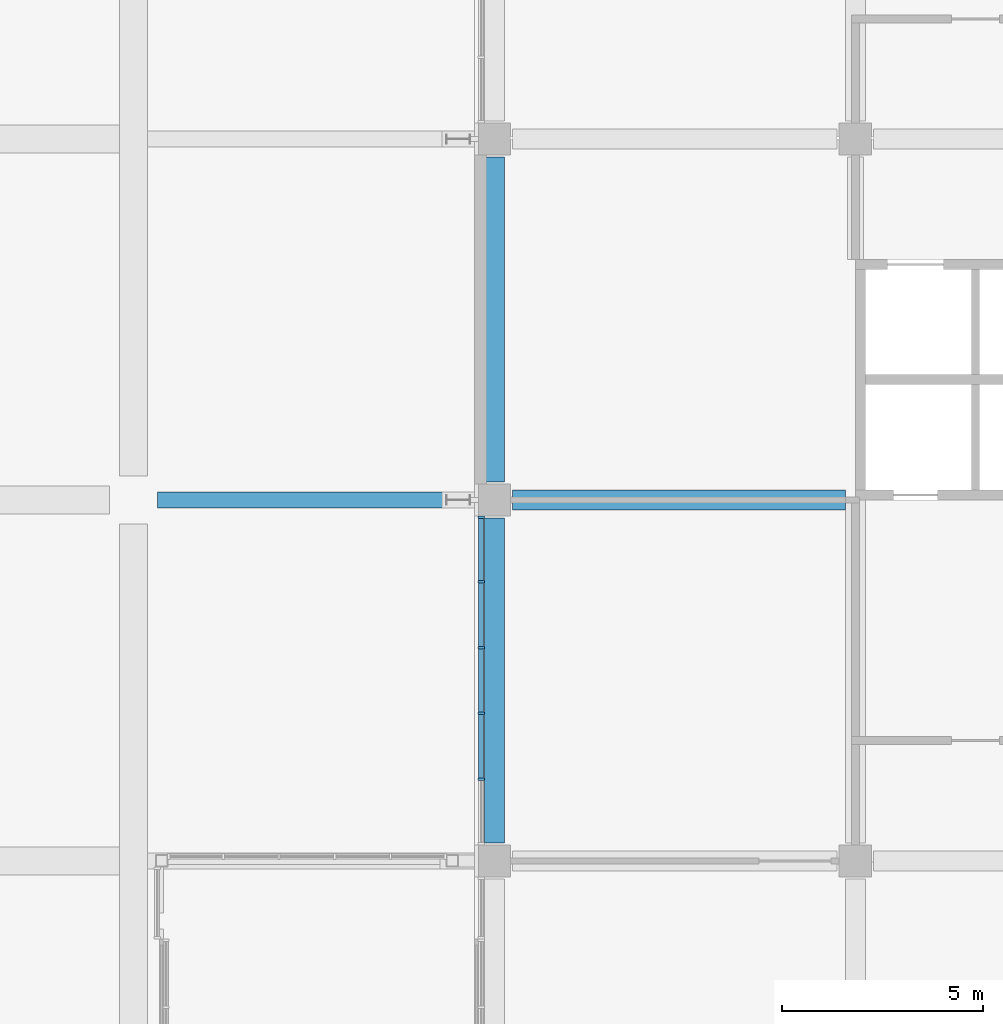
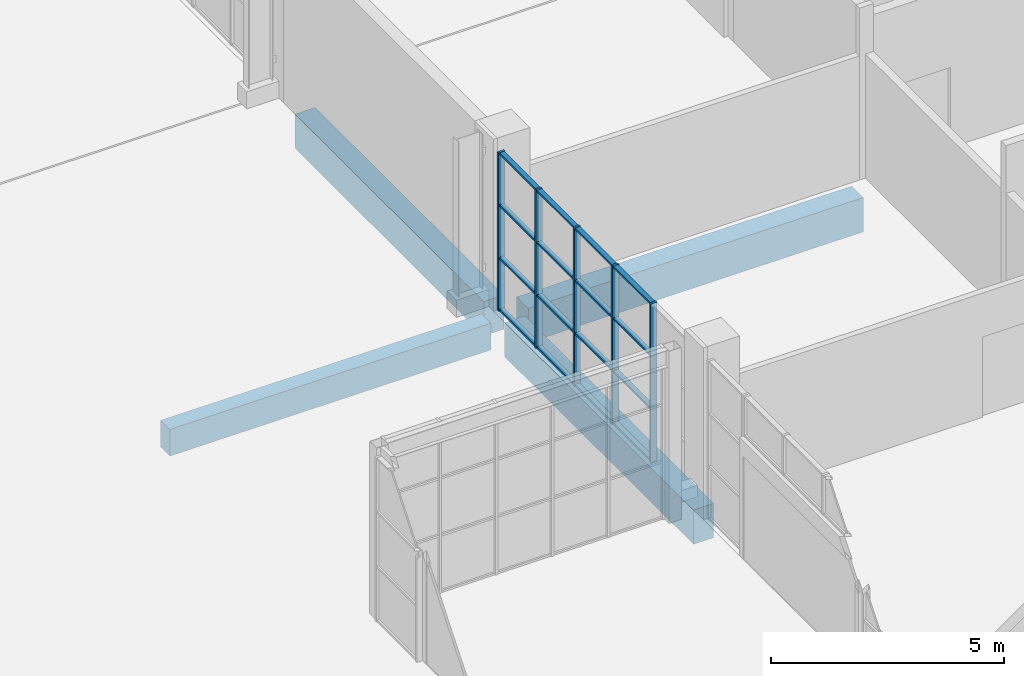
# One storey, part 34 of 168: 21 members, 4 beams, 1 element without a shape of its own.
"""IFC4 building model written with IfcOpenShell, lengths in metres."""

from ifc_helpers import new_model, si_unit, direction, frame, origin, origin_2d, place, context, subcontext, project, spatial, rectangle, extrude, material, material_profile, profile_set, type_object, element, aggregate, save


model = new_model("IFC4")

# Units and contexts
model_context = context("Model", 3, precision=1e-05, world=origin(), true_north=direction((0.0, 1.0)))
body_context = subcontext(model_context, "Body", "Model", "MODEL_VIEW")
ifc_project = project(units=[si_unit("LENGTHUNIT", "METRE"), si_unit("AREAUNIT", "SQUARE_METRE"), si_unit("VOLUMEUNIT", "CUBIC_METRE"), si_unit("PLANEANGLEUNIT", "RADIAN"), si_unit("MASSUNIT", "GRAM", prefix="KILO")], contexts=[model_context])

# Site, building, storey
site_placement = place(None, origin())
site = spatial("IfcSite", under=ifc_project, at=site_placement, CompositionType="ELEMENT")
building_placement = place(site_placement, origin())
building = spatial("IfcBuilding", under=site, at=building_placement, Name="Silverbay Arena", CompositionType="ELEMENT")
storey_placement = place(building_placement, frame((0.0, 0.0, 7.0)))
storey = spatial("IfcBuildingStorey", under=building, at=storey_placement, Name="L01", CompositionType="ELEMENT", Elevation=7.0)

# Curtain wall, members
ifc_material_1 = material(Name="Aluminium framed curtain wall", Category="aluminium")
curtain_wall_type = type_object("IfcCurtainWallType", Name="Curtain wall 8200 x 4150", PredefinedType="NOTDEFINED", material=ifc_material_1)
curtain_wall_placement = place(storey_placement, origin())
curtain_wall = element("IfcCurtainWall", 1, at=curtain_wall_placement, inside=storey, type_object=curtain_wall_type, Name="West curtain wall L01 bay 6", PredefinedType="NOTDEFINED")
ifc_material_2 = material(Name="Aluminium", Category="aluminium")
ifc_material_profile_1 = material_profile(ifc_material_2, rectangle(XDim=0.159912109375, YDim=0.06005859375, at=origin_2d()), Name="Mullion 60 x 160")
ifc_profile_set_1 = profile_set([ifc_material_profile_1], Name="Aluminium")
member_type_1 = type_object("IfcMemberType", Name="Mullion 60 x 160", PredefinedType="MULLION", material=ifc_profile_set_1)
member_1_placement = place(storey_placement, frame((26.669921875, 71.570068359375, 0.0), z_axis=(0.0, 0.0, 1.0), x_axis=(1.0, 0.0, 0.0)))
member_1 = element("IfcMember", 2, at=member_1_placement, type_object=member_type_1, Name="CW7 mullion 1", PredefinedType="MULLION", context=body_context, shape_type="SweptSolid", body=[
    extrude(rectangle(XDim=0.159912109375, YDim=0.06005859375, at=origin_2d()), origin(), (0.0, 0.0, 1.0), 4.14990234375),
])
member_2_placement = place(storey_placement, frame((26.669921875, 69.9599609375, 0.0), z_axis=(0.0, 0.0, 1.0), x_axis=(1.0, 0.0, 0.0)))
member_2 = element("IfcMember", 3, at=member_2_placement, type_object=member_type_1, Name="CW7 mullion 2", PredefinedType="MULLION", context=body_context, shape_type="SweptSolid", body=[
    extrude(rectangle(XDim=0.159912109375, YDim=0.06005859375, at=origin_2d()), origin(), (0.0, 0.0, 1.0), 4.14990234375),
])
member_3_placement = place(storey_placement, frame((26.669921875, 68.320068359375, 0.0), z_axis=(0.0, 0.0, 1.0), x_axis=(1.0, 0.0, 0.0)))
member_3 = element("IfcMember", 4, at=member_3_placement, type_object=member_type_1, Name="CW7 mullion 3", PredefinedType="MULLION", context=body_context, shape_type="SweptSolid", body=[
    extrude(rectangle(XDim=0.159912109375, YDim=0.06005859375, at=origin_2d()), origin(), (0.0, 0.0, 1.0), 4.14990234375),
])
member_4_placement = place(storey_placement, frame((26.669921875, 66.679931640625, 0.0), z_axis=(0.0, 0.0, 1.0), x_axis=(1.0, 0.0, 0.0)))
member_4 = element("IfcMember", 5, at=member_4_placement, type_object=member_type_1, Name="CW7 mullion 4", PredefinedType="MULLION", context=body_context, shape_type="SweptSolid", body=[
    extrude(rectangle(XDim=0.159912109375, YDim=0.06005859375, at=origin_2d()), origin(), (0.0, 0.0, 1.0), 4.14990234375),
])
member_5_placement = place(storey_placement, frame((26.669921875, 65.0400390625, 0.0), z_axis=(0.0, 0.0, 1.0), x_axis=(1.0, 0.0, 0.0)))
member_5 = element("IfcMember", 6, at=member_5_placement, type_object=member_type_1, Name="CW7 mullion 5", PredefinedType="MULLION", context=body_context, shape_type="SweptSolid", body=[
    extrude(rectangle(XDim=0.159912109375, YDim=0.06005859375, at=origin_2d()), origin(), (0.0, 0.0, 1.0), 4.14990234375),
])

# Beams
ifc_material_3 = material(Name="Concrete Grade C45", Category="concrete")
ifc_material_profile_2 = material_profile(ifc_material_3, rectangle(XDim=0.39990234375, YDim=0.699951171875, at=origin_2d()), Name="RC 400x700")
ifc_profile_set_2 = profile_set([ifc_material_profile_2], Name="Concrete Grade C45")
beam_type_1 = type_object("IfcBeamType", Name="RC beam 400x700", PredefinedType="BEAM", material=ifc_profile_set_2)
beam_1_placement = place(storey_placement, frame((18.60009765625, 72.0, -0.800048828125), z_axis=(1.0, 0.0, 0.0), x_axis=(0.0, 1.0, 0.0)))
element("IfcBeam", 7, at=beam_1_placement, inside=storey, type_object=beam_type_1, Name="Deck row beam 080", PredefinedType="BEAM", context=body_context, shape_type="SweptSolid", body=[
    extrude(rectangle(XDim=0.39990234375, YDim=0.699951171875, at=origin_2d()), origin(), (0.0, 0.0, 1.0), 7.949951171875),
])
ifc_material_4 = material(Name="Concrete Grade C45", Category="concrete")
ifc_material_profile_3 = material_profile(ifc_material_4, rectangle(XDim=0.5, YDim=0.89990234375, at=origin_2d()), Name="RC 500x900")
ifc_profile_set_3 = profile_set([ifc_material_profile_3], Name="Concrete Grade C45")
beam_type_2 = type_object("IfcBeamType", Name="RC beam 500x900", PredefinedType="BEAM", material=ifc_profile_set_3)
beam_2_placement = place(storey_placement, frame((27.449951171875, 72.0, -0.800048828125), z_axis=(1.0, 0.0, 0.0), x_axis=(0.0, 1.0, 0.0)))
element("IfcBeam", 8, at=beam_2_placement, inside=storey, type_object=beam_type_2, Name="Floor beam L01 072", PredefinedType="BEAM", context=body_context, shape_type="SweptSolid", body=[
    extrude(rectangle(XDim=0.5, YDim=0.89990234375, at=origin_2d()), origin(), (0.0, 0.0, 1.0), 8.300048828125),
])
for number, where, z_axis, x_axis, name in (
    (9, (27.0, 63.449951171875, -0.800048828125), (0.0, 1.0, 0.0), (-1.0, 0.0, 0.0), "Floor beam L01 184"),
    (10, (27.0, 72.449951171875, -0.800048828125), (0.0, 1.0, 0.0), (-1.0, 0.0, 0.0), "Floor beam L01 185"),
):
    element("IfcBeam", number, at=place(storey_placement, frame(where, z_axis=z_axis, x_axis=x_axis)), inside=storey, type_object=beam_type_2, Name=name, PredefinedType="BEAM", context=body_context, shape_type="SweptSolid", body=[
        extrude(rectangle(XDim=0.5, YDim=0.89990234375, at=origin_2d()), origin(), (0.0, 0.0, 1.0), 8.10009765625),
    ])

# Member
ifc_material_5 = material(Name="Aluminium", Category="aluminium")
ifc_material_profile_4 = material_profile(ifc_material_5, rectangle(XDim=0.1201171875, YDim=0.050048828125, at=origin_2d()), Name="Transom 50 x 120")
ifc_profile_set_4 = profile_set([ifc_material_profile_4], Name="Aluminium")
member_type_2 = type_object("IfcMemberType", Name="Transom 50 x 120", PredefinedType="USERDEFINED", material=ifc_profile_set_4)
member_6_placement = place(storey_placement, frame((26.669921875, 71.5400390625, 0.02490234375), z_axis=(0.0, -1.0, 0.0), x_axis=(1.0, 0.0, 0.0)))
member_6 = element("IfcMember", 11, at=member_6_placement, type_object=member_type_2, Name="CW7 transom 1.1", ObjectType="TRANSOM", PredefinedType="USERDEFINED", context=body_context, shape_type="SweptSolid", body=[
    extrude(rectangle(XDim=0.1201171875, YDim=0.050048828125, at=origin_2d()), origin(), (0.0, 0.0, 1.0), 1.550048828125),
])

member_7_placement = place(storey_placement, frame((26.669921875, 71.5400390625, 1.38330078125), z_axis=(0.0, -1.0, 0.0), x_axis=(1.0, 0.0, 0.0)))
member_7 = element("IfcMember", 12, at=member_7_placement, type_object=member_type_2, Name="CW7 transom 1.2", ObjectType="TRANSOM", PredefinedType="USERDEFINED", context=body_context, shape_type="SweptSolid", body=[
    extrude(rectangle(XDim=0.1201171875, YDim=0.050048828125, at=origin_2d()), origin(), (0.0, 0.0, 1.0), 1.550048828125),
])

member_8_placement = place(storey_placement, frame((26.669921875, 71.5400390625, 2.7666015625), z_axis=(0.0, -1.0, 0.0), x_axis=(1.0, 0.0, 0.0)))
member_8 = element("IfcMember", 13, at=member_8_placement, type_object=member_type_2, Name="CW7 transom 1.3", ObjectType="TRANSOM", PredefinedType="USERDEFINED", context=body_context, shape_type="SweptSolid", body=[
    extrude(rectangle(XDim=0.1201171875, YDim=0.050048828125, at=origin_2d()), origin(), (0.0, 0.0, 1.0), 1.550048828125),
])

member_9_placement = place(storey_placement, frame((26.669921875, 71.5400390625, 4.125), z_axis=(0.0, -1.0, 0.0), x_axis=(1.0, 0.0, 0.0)))
member_9 = element("IfcMember", 14, at=member_9_placement, type_object=member_type_2, Name="CW7 transom 1.4", ObjectType="TRANSOM", PredefinedType="USERDEFINED", context=body_context, shape_type="SweptSolid", body=[
    extrude(rectangle(XDim=0.1201171875, YDim=0.050048828125, at=origin_2d()), origin(), (0.0, 0.0, 1.0), 1.550048828125),
])

member_10_placement = place(storey_placement, frame((26.669921875, 69.929931640625, 0.02490234375), z_axis=(0.0, -1.0, 0.0), x_axis=(1.0, 0.0, 0.0)))
member_10 = element("IfcMember", 15, at=member_10_placement, type_object=member_type_2, Name="CW7 transom 2.1", ObjectType="TRANSOM", PredefinedType="USERDEFINED", context=body_context, shape_type="SweptSolid", body=[
    extrude(rectangle(XDim=0.1201171875, YDim=0.050048828125, at=origin_2d()), origin(), (0.0, 0.0, 1.0), 1.579833984375),
])

member_11_placement = place(storey_placement, frame((26.669921875, 69.929931640625, 1.38330078125), z_axis=(0.0, -1.0, 0.0), x_axis=(1.0, 0.0, 0.0)))
member_11 = element("IfcMember", 16, at=member_11_placement, type_object=member_type_2, Name="CW7 transom 2.2", ObjectType="TRANSOM", PredefinedType="USERDEFINED", context=body_context, shape_type="SweptSolid", body=[
    extrude(rectangle(XDim=0.1201171875, YDim=0.050048828125, at=origin_2d()), origin(), (0.0, 0.0, 1.0), 1.579833984375),
])

member_12_placement = place(storey_placement, frame((26.669921875, 69.929931640625, 2.7666015625), z_axis=(0.0, -1.0, 0.0), x_axis=(1.0, 0.0, 0.0)))
member_12 = element("IfcMember", 17, at=member_12_placement, type_object=member_type_2, Name="CW7 transom 2.3", ObjectType="TRANSOM", PredefinedType="USERDEFINED", context=body_context, shape_type="SweptSolid", body=[
    extrude(rectangle(XDim=0.1201171875, YDim=0.050048828125, at=origin_2d()), origin(), (0.0, 0.0, 1.0), 1.579833984375),
])

member_13_placement = place(storey_placement, frame((26.669921875, 69.929931640625, 4.125), z_axis=(0.0, -1.0, 0.0), x_axis=(1.0, 0.0, 0.0)))
member_13 = element("IfcMember", 18, at=member_13_placement, type_object=member_type_2, Name="CW7 transom 2.4", ObjectType="TRANSOM", PredefinedType="USERDEFINED", context=body_context, shape_type="SweptSolid", body=[
    extrude(rectangle(XDim=0.1201171875, YDim=0.050048828125, at=origin_2d()), origin(), (0.0, 0.0, 1.0), 1.579833984375),
])

member_14_placement = place(storey_placement, frame((26.669921875, 68.2900390625, 0.02490234375), z_axis=(0.0, -1.0, 0.0), x_axis=(1.0, 0.0, 0.0)))
member_14 = element("IfcMember", 19, at=member_14_placement, type_object=member_type_2, Name="CW7 transom 3.1", ObjectType="TRANSOM", PredefinedType="USERDEFINED", context=body_context, shape_type="SweptSolid", body=[
    extrude(rectangle(XDim=0.1201171875, YDim=0.050048828125, at=origin_2d()), origin(), (0.0, 0.0, 1.0), 1.580078125),
])

member_15_placement = place(storey_placement, frame((26.669921875, 68.2900390625, 1.38330078125), z_axis=(0.0, -1.0, 0.0), x_axis=(1.0, 0.0, 0.0)))
member_15 = element("IfcMember", 20, at=member_15_placement, type_object=member_type_2, Name="CW7 transom 3.2", ObjectType="TRANSOM", PredefinedType="USERDEFINED", context=body_context, shape_type="SweptSolid", body=[
    extrude(rectangle(XDim=0.1201171875, YDim=0.050048828125, at=origin_2d()), origin(), (0.0, 0.0, 1.0), 1.580078125),
])

member_16_placement = place(storey_placement, frame((26.669921875, 68.2900390625, 2.7666015625), z_axis=(0.0, -1.0, 0.0), x_axis=(1.0, 0.0, 0.0)))
member_16 = element("IfcMember", 21, at=member_16_placement, type_object=member_type_2, Name="CW7 transom 3.3", ObjectType="TRANSOM", PredefinedType="USERDEFINED", context=body_context, shape_type="SweptSolid", body=[
    extrude(rectangle(XDim=0.1201171875, YDim=0.050048828125, at=origin_2d()), origin(), (0.0, 0.0, 1.0), 1.580078125),
])

member_17_placement = place(storey_placement, frame((26.669921875, 68.2900390625, 4.125), z_axis=(0.0, -1.0, 0.0), x_axis=(1.0, 0.0, 0.0)))
member_17 = element("IfcMember", 22, at=member_17_placement, type_object=member_type_2, Name="CW7 transom 3.4", ObjectType="TRANSOM", PredefinedType="USERDEFINED", context=body_context, shape_type="SweptSolid", body=[
    extrude(rectangle(XDim=0.1201171875, YDim=0.050048828125, at=origin_2d()), origin(), (0.0, 0.0, 1.0), 1.580078125),
])

member_18_placement = place(storey_placement, frame((26.669921875, 66.64990234375, 0.02490234375), z_axis=(0.0, -1.0, 0.0), x_axis=(1.0, 0.0, 0.0)))
member_18 = element("IfcMember", 23, at=member_18_placement, type_object=member_type_2, Name="CW7 transom 4.1", ObjectType="TRANSOM", PredefinedType="USERDEFINED", context=body_context, shape_type="SweptSolid", body=[
    extrude(rectangle(XDim=0.1201171875, YDim=0.050048828125, at=origin_2d()), origin(), (0.0, 0.0, 1.0), 1.579833984375),
])

member_19_placement = place(storey_placement, frame((26.669921875, 66.64990234375, 1.38330078125), z_axis=(0.0, -1.0, 0.0), x_axis=(1.0, 0.0, 0.0)))
member_19 = element("IfcMember", 24, at=member_19_placement, type_object=member_type_2, Name="CW7 transom 4.2", ObjectType="TRANSOM", PredefinedType="USERDEFINED", context=body_context, shape_type="SweptSolid", body=[
    extrude(rectangle(XDim=0.1201171875, YDim=0.050048828125, at=origin_2d()), origin(), (0.0, 0.0, 1.0), 1.579833984375),
])

member_20_placement = place(storey_placement, frame((26.669921875, 66.64990234375, 2.7666015625), z_axis=(0.0, -1.0, 0.0), x_axis=(1.0, 0.0, 0.0)))
member_20 = element("IfcMember", 25, at=member_20_placement, type_object=member_type_2, Name="CW7 transom 4.3", ObjectType="TRANSOM", PredefinedType="USERDEFINED", context=body_context, shape_type="SweptSolid", body=[
    extrude(rectangle(XDim=0.1201171875, YDim=0.050048828125, at=origin_2d()), origin(), (0.0, 0.0, 1.0), 1.579833984375),
])

member_21_placement = place(storey_placement, frame((26.669921875, 66.64990234375, 4.125), z_axis=(0.0, -1.0, 0.0), x_axis=(1.0, 0.0, 0.0)))
member_21 = element("IfcMember", 26, at=member_21_placement, type_object=member_type_2, Name="CW7 transom 4.4", ObjectType="TRANSOM", PredefinedType="USERDEFINED", context=body_context, shape_type="SweptSolid", body=[
    extrude(rectangle(XDim=0.1201171875, YDim=0.050048828125, at=origin_2d()), origin(), (0.0, 0.0, 1.0), 1.579833984375),
])

aggregate(curtain_wall, [member_1, member_2, member_3, member_4, member_5, member_6, member_7, member_8, member_9, member_10, member_11, member_12, member_13, member_14, member_15, member_16, member_17, member_18, member_19, member_20, member_21])

save(model, "model.ifc")
